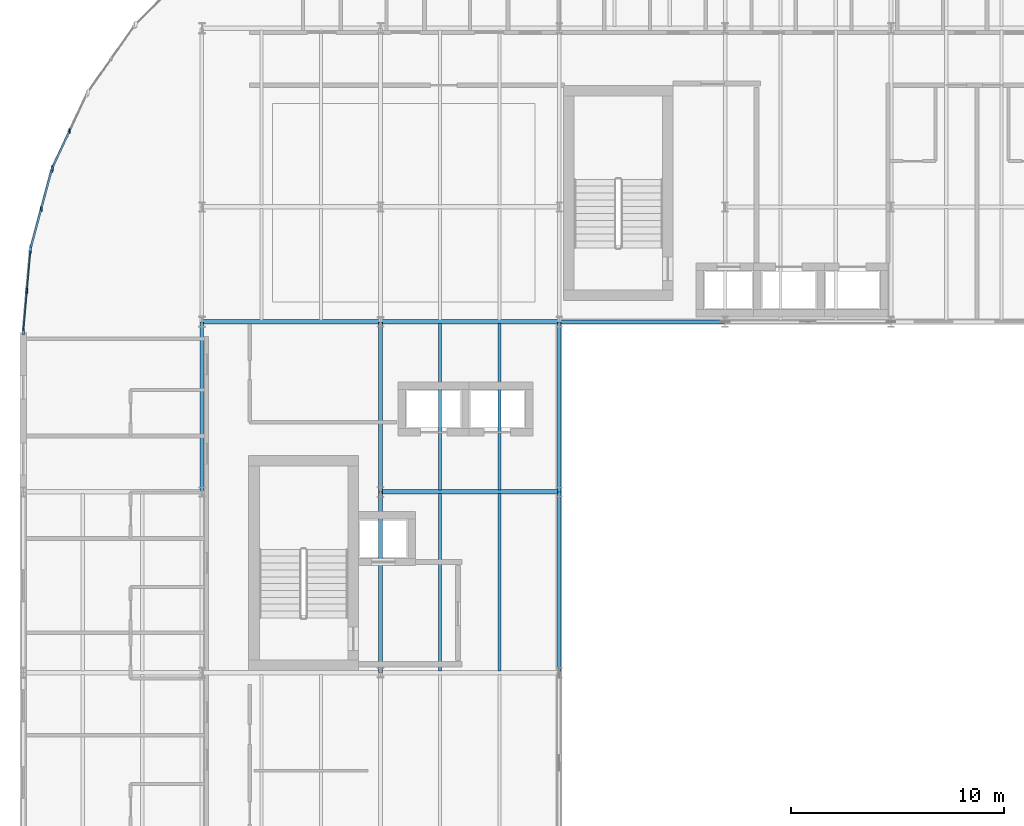
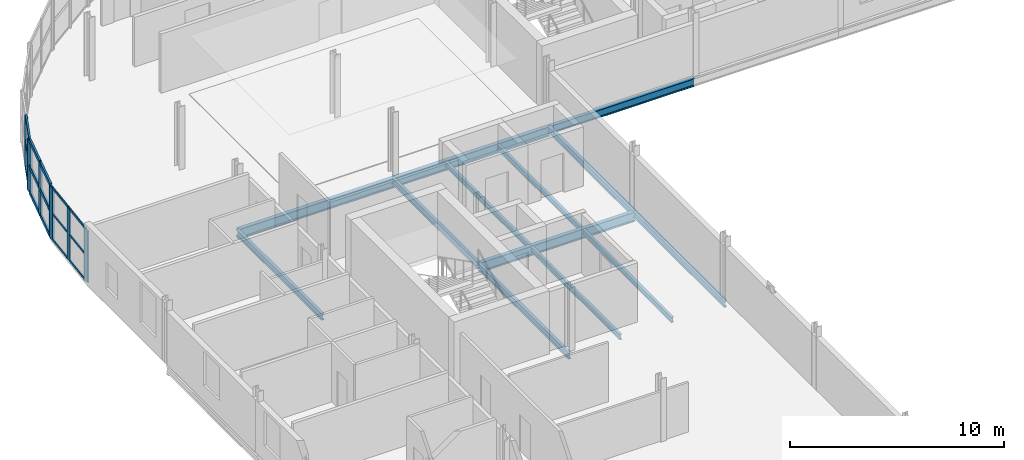
# One storey, part 5 of 30: 23 members, 13 beams, 3 elements without a shape of their own.
"""IFC4 building model written with IfcOpenShell, lengths in metres."""

from ifc_helpers import new_model, si_unit, direction, frame, origin, origin_2d, place, context, subcontext, project, spatial, rectangle, i_section, extrude, material, layer, layer_set, material_profile, profile_set, type_object, element, aggregate, save


model = new_model("IFC4")

# Units and contexts
model_context = context("Model", 3, precision=1e-05, world=origin(), true_north=direction((0.0, 1.0)))
body_context = subcontext(model_context, "Body", "Model", "MODEL_VIEW")
ifc_project = project(units=[si_unit("LENGTHUNIT", "METRE"), si_unit("AREAUNIT", "SQUARE_METRE"), si_unit("VOLUMEUNIT", "CUBIC_METRE"), si_unit("PLANEANGLEUNIT", "RADIAN"), si_unit("MASSUNIT", "GRAM", prefix="KILO")], contexts=[model_context])

# Site, building, storey
site_placement = place(None, origin())
site = spatial("IfcSite", under=ifc_project, at=site_placement, CompositionType="ELEMENT")
building_placement = place(site_placement, origin())
building = spatial("IfcBuilding", under=site, at=building_placement, Name="Sefraquen Railside Congress Hotel", CompositionType="ELEMENT")
storey_placement = place(building_placement, frame((0.0, 0.0, 35.39990234375)))
storey = spatial("IfcBuildingStorey", under=building, at=storey_placement, Name="L08", CompositionType="ELEMENT", Elevation=35.39990234375)

# Beams
ifc_material_1 = material(Name="Steel S355JR", Category="steel")
ifc_material_profile_1 = material_profile(ifc_material_1, i_section(OverallWidth=0.169921875, OverallDepth=0.360107421875, WebThickness=0.008056640625, FlangeThickness=0.0126953125, FilletRadius=0.01806640625, at=origin_2d()), Name="IPE 360")
ifc_profile_set_1 = profile_set([ifc_material_profile_1], Name="Steel S355JR")
beam_type_1 = type_object("IfcBeamType", Name="TB-BM-360", PredefinedType="BEAM", material=ifc_profile_set_1)
beam_1_placement = place(storey_placement, frame((8.39990234375, 88.0, -0.419921875), z_axis=(0.0, 1.0, 0.0), x_axis=(-1.0, 0.0, 0.0)))
element("IfcBeam", 1, at=beam_1_placement, inside=storey, type_object=beam_type_1, Name="Floor beam BM-L08-1897", PredefinedType="BEAM", context=body_context, shape_type="SweptSolid", body=[
    extrude(i_section(OverallWidth=0.169921875, OverallDepth=0.360107421875, WebThickness=0.008056640625, FlangeThickness=0.0126953125, FilletRadius=0.01806640625, at=origin_2d()), origin(), (0.0, 0.0, 1.0), 8.0),
])
beam_2_placement = place(storey_placement, frame((16.800048828125, 79.5, -0.419921875), z_axis=(0.0, 1.0, 0.0), x_axis=(-1.0, 0.0, 0.0)))
element("IfcBeam", 2, at=beam_2_placement, inside=storey, type_object=beam_type_1, Name="Floor beam BM-L08-1902", PredefinedType="BEAM", context=body_context, shape_type="SweptSolid", body=[
    extrude(i_section(OverallWidth=0.169921875, OverallDepth=0.360107421875, WebThickness=0.008056640625, FlangeThickness=0.0126953125, FilletRadius=0.01806640625, at=origin_2d()), origin(), (0.0, 0.0, 1.0), 8.5),
])
beam_3_placement = place(storey_placement, frame((16.800048828125, 88.0, -0.419921875), z_axis=(0.0, 1.0, 0.0), x_axis=(-1.0, 0.0, 0.0)))
element("IfcBeam", 3, at=beam_3_placement, inside=storey, type_object=beam_type_1, Name="Floor beam BM-L08-1903", PredefinedType="BEAM", context=body_context, shape_type="SweptSolid", body=[
    extrude(i_section(OverallWidth=0.169921875, OverallDepth=0.360107421875, WebThickness=0.008056640625, FlangeThickness=0.0126953125, FilletRadius=0.01806640625, at=origin_2d()), origin(), (0.0, 0.0, 1.0), 8.0),
])
beam_4_placement = place(storey_placement, frame((25.199951171875, 79.5, -0.419921875), z_axis=(0.0, 1.0, 0.0), x_axis=(-1.0, 0.0, 0.0)))
element("IfcBeam", 4, at=beam_4_placement, inside=storey, type_object=beam_type_1, Name="Floor beam BM-L08-1908", PredefinedType="BEAM", context=body_context, shape_type="SweptSolid", body=[
    extrude(i_section(OverallWidth=0.169921875, OverallDepth=0.360107421875, WebThickness=0.008056640625, FlangeThickness=0.0126953125, FilletRadius=0.01806640625, at=origin_2d()), origin(), (0.0, 0.0, 1.0), 8.5),
])
beam_5_placement = place(storey_placement, frame((25.199951171875, 88.0, -0.419921875), z_axis=(0.0, 1.0, 0.0), x_axis=(-1.0, 0.0, 0.0)))
element("IfcBeam", 5, at=beam_5_placement, inside=storey, type_object=beam_type_1, Name="Floor beam BM-L08-1909", PredefinedType="BEAM", context=body_context, shape_type="SweptSolid", body=[
    extrude(i_section(OverallWidth=0.169921875, OverallDepth=0.360107421875, WebThickness=0.008056640625, FlangeThickness=0.0126953125, FilletRadius=0.01806640625, at=origin_2d()), origin(), (0.0, 0.0, 1.0), 8.0),
])
ifc_material_profile_2 = material_profile(ifc_material_1, i_section(OverallWidth=0.18994140625, OverallDepth=0.449951171875, WebThickness=0.009521484375, FlangeThickness=0.0146484375, FilletRadius=0.02099609375, at=origin_2d()), Name="IPE 450")
ifc_profile_set_2 = profile_set([ifc_material_profile_2], Name="Steel S355JR")
beam_type_2 = type_object("IfcBeamType", Name="TB-BM-450", PredefinedType="BEAM", material=ifc_profile_set_2)
beam_6_placement = place(storey_placement, frame((25.199951171875, 96.0, -0.46484375), z_axis=(1.0, 0.0, 0.0), x_axis=(0.0, 1.0, 0.0)))
element("IfcBeam", 6, at=beam_6_placement, inside=storey, type_object=beam_type_2, Name="Primary girder BM-L08-1841", PredefinedType="BEAM", context=body_context, shape_type="SweptSolid", body=[
    extrude(i_section(OverallWidth=0.18994140625, OverallDepth=0.449951171875, WebThickness=0.009521484375, FlangeThickness=0.0146484375, FilletRadius=0.02099609375, at=origin_2d()), origin(), (0.0, 0.0, 1.0), 7.800048828125),
])
ifc_material_profile_3 = material_profile(ifc_material_1, i_section(OverallWidth=0.2099609375, OverallDepth=0.550048828125, WebThickness=0.010986328125, FlangeThickness=0.01708984375, FilletRadius=0.02392578125, at=origin_2d()), Name="IPE 550")
ifc_profile_set_3 = profile_set([ifc_material_profile_3], Name="Steel S355JR")
beam_type_3 = type_object("IfcBeamType", Name="TB-GIR-550", PredefinedType="T_BEAM", material=ifc_profile_set_3)
beam_7_placement = place(storey_placement, frame((16.800048828125, 88.0, -0.514892578125), z_axis=(1.0, 0.0, 0.0), x_axis=(0.0, 1.0, 0.0)))
element("IfcBeam", 7, at=beam_7_placement, inside=storey, type_object=beam_type_3, Name="Primary girder BM-L08-1838", PredefinedType="T_BEAM", context=body_context, shape_type="SweptSolid", body=[
    extrude(i_section(OverallWidth=0.2099609375, OverallDepth=0.550048828125, WebThickness=0.010986328125, FlangeThickness=0.01708984375, FilletRadius=0.02392578125, at=origin_2d()), origin(), (0.0, 0.0, 1.0), 8.39990234375),
])
beam_8_placement = place(storey_placement, frame((8.39990234375, 96.0, -0.514892578125), z_axis=(1.0, 0.0, 0.0), x_axis=(0.0, 1.0, 0.0)))
element("IfcBeam", 8, at=beam_8_placement, inside=storey, type_object=beam_type_3, Name="Primary girder BM-L08-1839", PredefinedType="T_BEAM", context=body_context, shape_type="SweptSolid", body=[
    extrude(i_section(OverallWidth=0.2099609375, OverallDepth=0.550048828125, WebThickness=0.010986328125, FlangeThickness=0.01708984375, FilletRadius=0.02392578125, at=origin_2d()), origin(), (0.0, 0.0, 1.0), 8.400146484375),
])
beam_9_placement = place(storey_placement, frame((16.800048828125, 96.0, -0.514892578125), z_axis=(1.0, 0.0, 0.0), x_axis=(0.0, 1.0, 0.0)))
element("IfcBeam", 9, at=beam_9_placement, inside=storey, type_object=beam_type_3, Name="Primary girder BM-L08-1840", PredefinedType="T_BEAM", context=body_context, shape_type="SweptSolid", body=[
    extrude(i_section(OverallWidth=0.2099609375, OverallDepth=0.550048828125, WebThickness=0.010986328125, FlangeThickness=0.01708984375, FilletRadius=0.02392578125, at=origin_2d()), origin(), (0.0, 0.0, 1.0), 8.39990234375),
])
ifc_material_profile_4 = material_profile(ifc_material_1, i_section(OverallWidth=0.14990234375, OverallDepth=0.300048828125, WebThickness=0.007080078125, FlangeThickness=0.0107421875, FilletRadius=0.014892578125, at=origin_2d()), Name="IPE 300")
ifc_profile_set_4 = profile_set([ifc_material_profile_4], Name="Steel S355JR")
beam_type_4 = type_object("IfcBeamType", Name="TB-JST-300", PredefinedType="JOIST", material=ifc_profile_set_4)
for number, where, z_axis, x_axis, name in (
    (10, (19.60009765625, 79.5849609375, -0.389892578125), (0.0, 1.0, 0.0), (-1.0, 0.0, 0.0), "Composite floor joist BM-L08-J1252"),
    (11, (22.39990234375, 79.5849609375, -0.389892578125), (0.0, 1.0, 0.0), (-1.0, 0.0, 0.0), "Composite floor joist BM-L08-J1253"),
):
    element("IfcBeam", number, at=place(storey_placement, frame(where, z_axis=z_axis, x_axis=x_axis)), inside=storey, type_object=beam_type_4, Name=name, PredefinedType="JOIST", context=body_context, shape_type="SweptSolid", body=[
        extrude(i_section(OverallWidth=0.14990234375, OverallDepth=0.300048828125, WebThickness=0.007080078125, FlangeThickness=0.0107421875, FilletRadius=0.014892578125, at=origin_2d()), origin(), (0.0, 0.0, 1.0), 8.330078125),
    ])
for number, where, z_axis, x_axis, name in (
    (12, (19.60009765625, 88.0849609375, -0.389892578125), (0.0, 1.0, 0.0), (-1.0, 0.0, 0.0), "Composite floor joist BM-L08-J1254"),
    (13, (22.39990234375, 88.0849609375, -0.389892578125), (0.0, 1.0, 0.0), (-1.0, 0.0, 0.0), "Composite floor joist BM-L08-J1255"),
):
    element("IfcBeam", number, at=place(storey_placement, frame(where, z_axis=z_axis, x_axis=x_axis)), inside=storey, type_object=beam_type_4, Name=name, PredefinedType="JOIST", context=body_context, shape_type="SweptSolid", body=[
        extrude(i_section(OverallWidth=0.14990234375, OverallDepth=0.300048828125, WebThickness=0.007080078125, FlangeThickness=0.0107421875, FilletRadius=0.014892578125, at=origin_2d()), origin(), (0.0, 0.0, 1.0), 7.830078125),
    ])

# Curtain wall, member
ifc_material_2 = material(Name="Thermally broken anodised aluminium and low-E double glazing", Category="aluminium")
ifc_layer_1 = layer(ifc_material_2, 0.199951171875)
ifc_layer_set_1 = layer_set([ifc_layer_1], Name="Thermally broken anodised aluminium and low-E double glazing")
curtain_wall_type_1 = type_object("IfcCurtainWallType", Name="TCW-UCW-15", PredefinedType="USERDEFINED", material=ifc_layer_set_1)
curtain_wall_1_placement = place(storey_placement, origin())
curtain_wall_1 = element("IfcCurtainWall", 14, at=curtain_wall_1_placement, inside=storey, type_object=curtain_wall_type_1, Name="Rotunda L08 curved curtain wall facet 7", ObjectType="UNITISED CURTAIN WALL", PredefinedType="USERDEFINED")
ifc_material_3 = material(Name="Thermally broken anodised aluminium 6063-T6", Category="aluminium")
ifc_material_profile_5 = material_profile(ifc_material_3, rectangle(XDim=0.070068359375, YDim=0.199951171875, at=origin_2d()), Name="CWM 70x200")
ifc_profile_set_5 = profile_set([ifc_material_profile_5], Name="Thermally broken anodised aluminium 6063-T6")
member_type_1 = type_object("IfcMemberType", Name="TM-CWM-03", PredefinedType="MULLION", material=ifc_profile_set_5)
member_1_placement = place(storey_placement, frame((2.185546875, 104.972900390625, 0.0), z_axis=(0.0, 0.0, 1.0), x_axis=(1.0, 0.0, 0.0)))
member_1 = element("IfcMember", 15, at=member_1_placement, type_object=member_type_1, Name="CW-L08-ROT-07 mullion 2", PredefinedType="MULLION", context=body_context, shape_type="SweptSolid", body=[
    extrude(rectangle(XDim=0.070068359375, YDim=0.199951171875, at=origin_2d()), origin(), (0.0, 0.0, 1.0), 2.93017578125),
])

ifc_layer_2 = layer(ifc_material_2, 0.199951171875)
ifc_layer_set_2 = layer_set([ifc_layer_2], Name="Thermally broken anodised aluminium and low-E double glazing")
curtain_wall_type_2 = type_object("IfcCurtainWallType", Name="TCW-UCW-16", PredefinedType="USERDEFINED", material=ifc_layer_set_2)
curtain_wall_2_placement = place(storey_placement, origin())
curtain_wall_2 = element("IfcCurtainWall", 16, at=curtain_wall_2_placement, inside=storey, type_object=curtain_wall_type_2, Name="Rotunda L08 curved curtain wall facet 8", ObjectType="UNITISED CURTAIN WALL", PredefinedType="USERDEFINED")
ifc_material_profile_6 = material_profile(ifc_material_3, rectangle(XDim=0.074951171875, YDim=0.219970703125, at=origin_2d()), Name="CWM 75x220")
ifc_profile_set_6 = profile_set([ifc_material_profile_6], Name="Thermally broken anodised aluminium 6063-T6")
member_type_2 = type_object("IfcMemberType", Name="TM-CWM-04", PredefinedType="MULLION", material=ifc_profile_set_6)
member_2_placement = place(storey_placement, frame((0.849365234375, 101.30126953125, 0.0), z_axis=(0.0, 0.0, 1.0), x_axis=(1.0, 0.0, 0.0)))
member_2 = element("IfcMember", 17, at=member_2_placement, type_object=member_type_2, Name="CW-L08-ROT-08 mullion 2", PredefinedType="MULLION", context=body_context, shape_type="SweptSolid", body=[
    extrude(rectangle(XDim=0.074951171875, YDim=0.219970703125, at=origin_2d()), origin(), (0.0, 0.0, 1.0), 2.93017578125),
])

ifc_layer_3 = layer(ifc_material_2, 0.199951171875)
ifc_layer_set_3 = layer_set([ifc_layer_3], Name="Thermally broken anodised aluminium and low-E double glazing")
curtain_wall_type_3 = type_object("IfcCurtainWallType", Name="TCW-UCW-17", PredefinedType="USERDEFINED", material=ifc_layer_set_3)
curtain_wall_3_placement = place(storey_placement, origin())
curtain_wall_3 = element("IfcCurtainWall", 18, at=curtain_wall_3_placement, inside=storey, type_object=curtain_wall_type_3, Name="Rotunda L08 curved curtain wall facet 9", ObjectType="UNITISED CURTAIN WALL", PredefinedType="USERDEFINED")
ifc_material_profile_7 = material_profile(ifc_material_3, rectangle(XDim=0.080078125, YDim=0.239990234375, at=origin_2d()), Name="CWM 80x240")
ifc_profile_set_7 = profile_set([ifc_material_profile_7], Name="Thermally broken anodised aluminium 6063-T6")
member_type_3 = type_object("IfcMemberType", Name="TM-CWM-05", PredefinedType="MULLION", material=ifc_profile_set_7)
member_3_placement = place(storey_placement, frame((0.1708984375, 97.45361328125, 0.0), z_axis=(0.0, 0.0, 1.0), x_axis=(1.0, 0.0, 0.0)))
member_3 = element("IfcMember", 19, at=member_3_placement, type_object=member_type_3, Name="CW-L08-ROT-09 mullion 2", PredefinedType="MULLION", context=body_context, shape_type="SweptSolid", body=[
    extrude(rectangle(XDim=0.080078125, YDim=0.239990234375, at=origin_2d()), origin(), (0.0, 0.0, 1.0), 2.93017578125),
])

# Member
ifc_material_profile_8 = material_profile(ifc_material_3, rectangle(XDim=0.094970703125, YDim=0.300048828125, at=origin_2d()), Name="CWM 95x300")
ifc_profile_set_8 = profile_set([ifc_material_profile_8], Name="Thermally broken anodised aluminium 6063-T6")
member_type_4 = type_object("IfcMemberType", Name="TM-CWM-08", PredefinedType="MULLION", material=ifc_profile_set_8)
member_4_placement = place(storey_placement, frame((1.373779296875, 103.231689453125, 0.0), z_axis=(0.0, 0.0, 1.0), x_axis=(1.0, 0.0, 0.0)))
member_4 = element("IfcMember", 20, at=member_4_placement, type_object=member_type_4, Name="CW-L08-ROT-07 mullion 3", PredefinedType="MULLION", context=body_context, shape_type="SweptSolid", body=[
    extrude(rectangle(XDim=0.094970703125, YDim=0.300048828125, at=origin_2d()), origin(), (0.0, 0.0, 1.0), 2.93017578125),
])

member_5_placement = place(storey_placement, frame((1.346435546875, 103.156982421875, 0.0), z_axis=(0.0, 0.0, 1.0), x_axis=(1.0, 0.0, 0.0)))
member_5 = element("IfcMember", 21, at=member_5_placement, type_object=member_type_4, Name="CW-L08-ROT-08 mullion 1", PredefinedType="MULLION", context=body_context, shape_type="SweptSolid", body=[
    extrude(rectangle(XDim=0.094970703125, YDim=0.300048828125, at=origin_2d()), origin(), (0.0, 0.0, 1.0), 2.93017578125),
])

member_6_placement = place(storey_placement, frame((0.352294921875, 99.44580078125, 0.0), z_axis=(0.0, 0.0, 1.0), x_axis=(1.0, 0.0, 0.0)))
member_6 = element("IfcMember", 22, at=member_6_placement, type_object=member_type_4, Name="CW-L08-ROT-08 mullion 3", PredefinedType="MULLION", context=body_context, shape_type="SweptSolid", body=[
    extrude(rectangle(XDim=0.094970703125, YDim=0.300048828125, at=origin_2d()), origin(), (0.0, 0.0, 1.0), 2.93017578125),
])

member_7_placement = place(storey_placement, frame((0.33837890625, 99.3671875, 0.0), z_axis=(0.0, 0.0, 1.0), x_axis=(1.0, 0.0, 0.0)))
member_7 = element("IfcMember", 23, at=member_7_placement, type_object=member_type_4, Name="CW-L08-ROT-09 mullion 1", PredefinedType="MULLION", context=body_context, shape_type="SweptSolid", body=[
    extrude(rectangle(XDim=0.094970703125, YDim=0.300048828125, at=origin_2d()), origin(), (0.0, 0.0, 1.0), 2.93017578125),
])

member_8_placement = place(storey_placement, frame((0.00341796875, 95.539794921875, 0.0), z_axis=(0.0, 0.0, 1.0), x_axis=(1.0, 0.0, 0.0)))
member_8 = element("IfcMember", 24, at=member_8_placement, type_object=member_type_4, Name="CW-L08-ROT-09 mullion 3", PredefinedType="MULLION", context=body_context, shape_type="SweptSolid", body=[
    extrude(rectangle(XDim=0.094970703125, YDim=0.300048828125, at=origin_2d()), origin(), (0.0, 0.0, 1.0), 2.93017578125),
])

ifc_material_profile_9 = material_profile(ifc_material_3, rectangle(XDim=0.06005859375, YDim=0.1201171875, at=origin_2d()), Name="CWT 60x120")
ifc_profile_set_9 = profile_set([ifc_material_profile_9], Name="Thermally broken anodised aluminium 6063-T6")
member_type_5 = type_object("IfcMemberType", Name="TM-CWT-01", PredefinedType="USERDEFINED", material=ifc_profile_set_9)
member_9_placement = place(storey_placement, frame((0.33447265625, 99.322509765625, 0.0), z_axis=(-0.087193412302, -0.996191401715, 0.0), x_axis=(0.996191401715, -0.087193412302, 0.0)))
member_9 = element("IfcMember", 25, at=member_9_placement, type_object=member_type_5, Name="CW-L08-ROT-09 transom 1.1", ObjectType="TRANSOM", PredefinedType="USERDEFINED", context=body_context, shape_type="SweptSolid", body=[
    extrude(rectangle(XDim=0.06005859375, YDim=0.1201171875, at=origin_2d()), origin(), (0.0, 0.0, 1.0), 1.831298828125),
])

member_10_placement = place(storey_placement, frame((0.1669921875, 97.40869140625, 0.0), z_axis=(-0.08720499447, -0.996190387898, 0.0), x_axis=(0.996190387898, -0.08720499447, 0.0)))
member_10 = element("IfcMember", 26, at=member_10_placement, type_object=member_type_5, Name="CW-L08-ROT-09 transom 1.2", ObjectType="TRANSOM", PredefinedType="USERDEFINED", context=body_context, shape_type="SweptSolid", body=[
    extrude(rectangle(XDim=0.06005859375, YDim=0.1201171875, at=origin_2d()), origin(), (0.0, 0.0, 1.0), 1.8310546875),
])

member_11_placement = place(storey_placement, frame((0.33447265625, 99.322509765625, 1.465087890625), z_axis=(-0.087193412302, -0.996191401715, 0.0), x_axis=(0.996191401715, -0.087193412302, 0.0)))
member_11 = element("IfcMember", 27, at=member_11_placement, type_object=member_type_5, Name="CW-L08-ROT-09 transom 2.1", ObjectType="TRANSOM", PredefinedType="USERDEFINED", context=body_context, shape_type="SweptSolid", body=[
    extrude(rectangle(XDim=0.06005859375, YDim=0.1201171875, at=origin_2d()), origin(), (0.0, 0.0, 1.0), 1.831298828125),
])

member_12_placement = place(storey_placement, frame((0.1669921875, 97.40869140625, 1.465087890625), z_axis=(-0.08720499447, -0.996190387898, 0.0), x_axis=(0.996190387898, -0.08720499447, 0.0)))
member_12 = element("IfcMember", 28, at=member_12_placement, type_object=member_type_5, Name="CW-L08-ROT-09 transom 2.2", ObjectType="TRANSOM", PredefinedType="USERDEFINED", context=body_context, shape_type="SweptSolid", body=[
    extrude(rectangle(XDim=0.06005859375, YDim=0.1201171875, at=origin_2d()), origin(), (0.0, 0.0, 1.0), 1.8310546875),
])

member_13_placement = place(storey_placement, frame((0.33447265625, 99.322509765625, 2.93017578125), z_axis=(-0.087193412302, -0.996191401715, 0.0), x_axis=(0.996191401715, -0.087193412302, 0.0)))
member_13 = element("IfcMember", 29, at=member_13_placement, type_object=member_type_5, Name="CW-L08-ROT-09 transom 3.1", ObjectType="TRANSOM", PredefinedType="USERDEFINED", context=body_context, shape_type="SweptSolid", body=[
    extrude(rectangle(XDim=0.06005859375, YDim=0.1201171875, at=origin_2d()), origin(), (0.0, 0.0, 1.0), 1.831298828125),
])

member_14_placement = place(storey_placement, frame((0.1669921875, 97.40869140625, 2.93017578125), z_axis=(-0.08720499447, -0.996190387898, 0.0), x_axis=(0.996190387898, -0.08720499447, 0.0)))
member_14 = element("IfcMember", 30, at=member_14_placement, type_object=member_type_5, Name="CW-L08-ROT-09 transom 3.2", ObjectType="TRANSOM", PredefinedType="USERDEFINED", context=body_context, shape_type="SweptSolid", body=[
    extrude(rectangle(XDim=0.06005859375, YDim=0.1201171875, at=origin_2d()), origin(), (0.0, 0.0, 1.0), 1.8310546875),
])

aggregate(curtain_wall_3, [member_7, member_3, member_8, member_9, member_10, member_11, member_12, member_13, member_14])

ifc_material_profile_10 = material_profile(ifc_material_3, rectangle(XDim=0.090087890625, YDim=0.2099609375, at=origin_2d()), Name="CWT 90x210")
ifc_profile_set_10 = profile_set([ifc_material_profile_10], Name="Thermally broken anodised aluminium 6063-T6")
member_type_6 = type_object("IfcMemberType", Name="TM-CWT-07", PredefinedType="USERDEFINED", material=ifc_profile_set_10)
member_15_placement = place(storey_placement, frame((2.166748046875, 104.931884765625, 0.0), z_axis=(-0.422724852641, -0.906258075252, 0.0), x_axis=(0.906258075252, -0.422724852641, 0.0)))
member_15 = element("IfcMember", 31, at=member_15_placement, type_object=member_type_6, Name="CW-L08-ROT-07 transom 1.2", ObjectType="TRANSOM", PredefinedType="USERDEFINED", context=body_context, shape_type="SweptSolid", body=[
    extrude(rectangle(XDim=0.090087890625, YDim=0.2099609375, at=origin_2d()), origin(), (0.0, 0.0, 1.0), 1.830810546875),
])

member_16_placement = place(storey_placement, frame((2.166748046875, 104.931884765625, 1.465087890625), z_axis=(-0.422724852641, -0.906258075252, 0.0), x_axis=(0.906258075252, -0.422724852641, 0.0)))
member_16 = element("IfcMember", 32, at=member_16_placement, type_object=member_type_6, Name="CW-L08-ROT-07 transom 2.2", ObjectType="TRANSOM", PredefinedType="USERDEFINED", context=body_context, shape_type="SweptSolid", body=[
    extrude(rectangle(XDim=0.090087890625, YDim=0.2099609375, at=origin_2d()), origin(), (0.0, 0.0, 1.0), 1.830810546875),
])

member_17_placement = place(storey_placement, frame((2.166748046875, 104.931884765625, 2.93017578125), z_axis=(-0.422724852641, -0.906258075252, 0.0), x_axis=(0.906258075252, -0.422724852641, 0.0)))
member_17 = element("IfcMember", 33, at=member_17_placement, type_object=member_type_6, Name="CW-L08-ROT-07 transom 3.2", ObjectType="TRANSOM", PredefinedType="USERDEFINED", context=body_context, shape_type="SweptSolid", body=[
    extrude(rectangle(XDim=0.090087890625, YDim=0.2099609375, at=origin_2d()), origin(), (0.0, 0.0, 1.0), 1.830810546875),
])

aggregate(curtain_wall_1, [member_1, member_4, member_15, member_16, member_17])

ifc_material_profile_11 = material_profile(ifc_material_3, rectangle(XDim=0.094970703125, YDim=0.22509765625, at=origin_2d()), Name="CWT 95x225")
ifc_profile_set_11 = profile_set([ifc_material_profile_11], Name="Thermally broken anodised aluminium 6063-T6")
member_type_7 = type_object("IfcMemberType", Name="TM-CWT-08", PredefinedType="USERDEFINED", material=ifc_profile_set_11)
member_18_placement = place(storey_placement, frame((1.3349609375, 103.11328125, 0.0), z_axis=(-0.25894046868, -0.965893282759, 0.0), x_axis=(0.965893282759, -0.25894046868, 0.0)))
member_18 = element("IfcMember", 34, at=member_18_placement, type_object=member_type_7, Name="CW-L08-ROT-08 transom 1.1", ObjectType="TRANSOM", PredefinedType="USERDEFINED", context=body_context, shape_type="SweptSolid", body=[
    extrude(rectangle(XDim=0.094970703125, YDim=0.22509765625, at=origin_2d()), origin(), (0.0, 0.0, 1.0), 1.8310546875),
])

member_19_placement = place(storey_placement, frame((0.837646484375, 101.2578125, 0.0), z_axis=(-0.258816065499, -0.965926624666, 0.0), x_axis=(0.965926624666, -0.258816065499, 0.0)))
member_19 = element("IfcMember", 35, at=member_19_placement, type_object=member_type_7, Name="CW-L08-ROT-08 transom 1.2", ObjectType="TRANSOM", PredefinedType="USERDEFINED", context=body_context, shape_type="SweptSolid", body=[
    extrude(rectangle(XDim=0.094970703125, YDim=0.22509765625, at=origin_2d()), origin(), (0.0, 0.0, 1.0), 1.8310546875),
])

member_20_placement = place(storey_placement, frame((1.3349609375, 103.11328125, 1.465087890625), z_axis=(-0.25894046868, -0.965893282759, 0.0), x_axis=(0.965893282759, -0.25894046868, 0.0)))
member_20 = element("IfcMember", 36, at=member_20_placement, type_object=member_type_7, Name="CW-L08-ROT-08 transom 2.1", ObjectType="TRANSOM", PredefinedType="USERDEFINED", context=body_context, shape_type="SweptSolid", body=[
    extrude(rectangle(XDim=0.094970703125, YDim=0.22509765625, at=origin_2d()), origin(), (0.0, 0.0, 1.0), 1.8310546875),
])

member_21_placement = place(storey_placement, frame((0.837646484375, 101.2578125, 1.465087890625), z_axis=(-0.258816065499, -0.965926624666, 0.0), x_axis=(0.965926624666, -0.258816065499, 0.0)))
member_21 = element("IfcMember", 37, at=member_21_placement, type_object=member_type_7, Name="CW-L08-ROT-08 transom 2.2", ObjectType="TRANSOM", PredefinedType="USERDEFINED", context=body_context, shape_type="SweptSolid", body=[
    extrude(rectangle(XDim=0.094970703125, YDim=0.22509765625, at=origin_2d()), origin(), (0.0, 0.0, 1.0), 1.8310546875),
])

member_22_placement = place(storey_placement, frame((1.3349609375, 103.11328125, 2.93017578125), z_axis=(-0.25894046868, -0.965893282759, 0.0), x_axis=(0.965893282759, -0.25894046868, 0.0)))
member_22 = element("IfcMember", 38, at=member_22_placement, type_object=member_type_7, Name="CW-L08-ROT-08 transom 3.1", ObjectType="TRANSOM", PredefinedType="USERDEFINED", context=body_context, shape_type="SweptSolid", body=[
    extrude(rectangle(XDim=0.094970703125, YDim=0.22509765625, at=origin_2d()), origin(), (0.0, 0.0, 1.0), 1.8310546875),
])

member_23_placement = place(storey_placement, frame((0.837646484375, 101.2578125, 2.93017578125), z_axis=(-0.258816065499, -0.965926624666, 0.0), x_axis=(0.965926624666, -0.258816065499, 0.0)))
member_23 = element("IfcMember", 39, at=member_23_placement, type_object=member_type_7, Name="CW-L08-ROT-08 transom 3.2", ObjectType="TRANSOM", PredefinedType="USERDEFINED", context=body_context, shape_type="SweptSolid", body=[
    extrude(rectangle(XDim=0.094970703125, YDim=0.22509765625, at=origin_2d()), origin(), (0.0, 0.0, 1.0), 1.8310546875),
])

aggregate(curtain_wall_2, [member_5, member_2, member_6, member_18, member_19, member_20, member_21, member_22, member_23])

save(model, "model.ifc")
